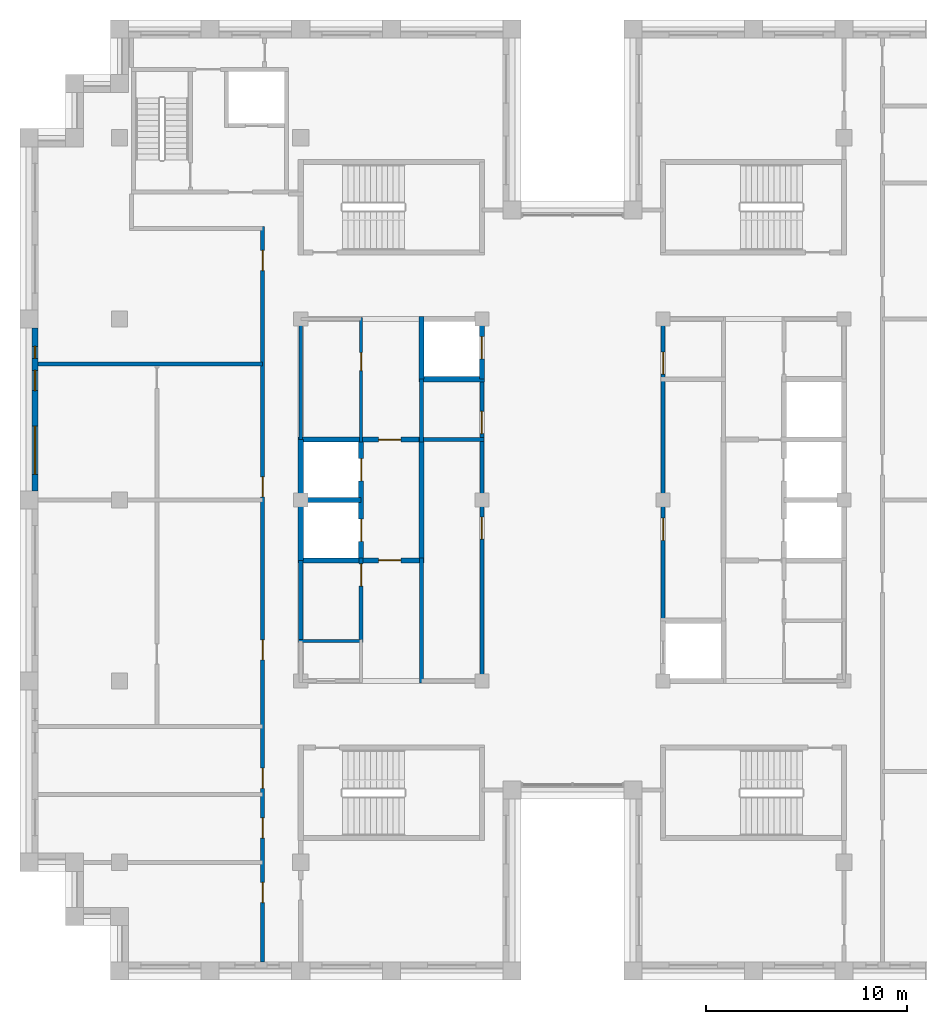
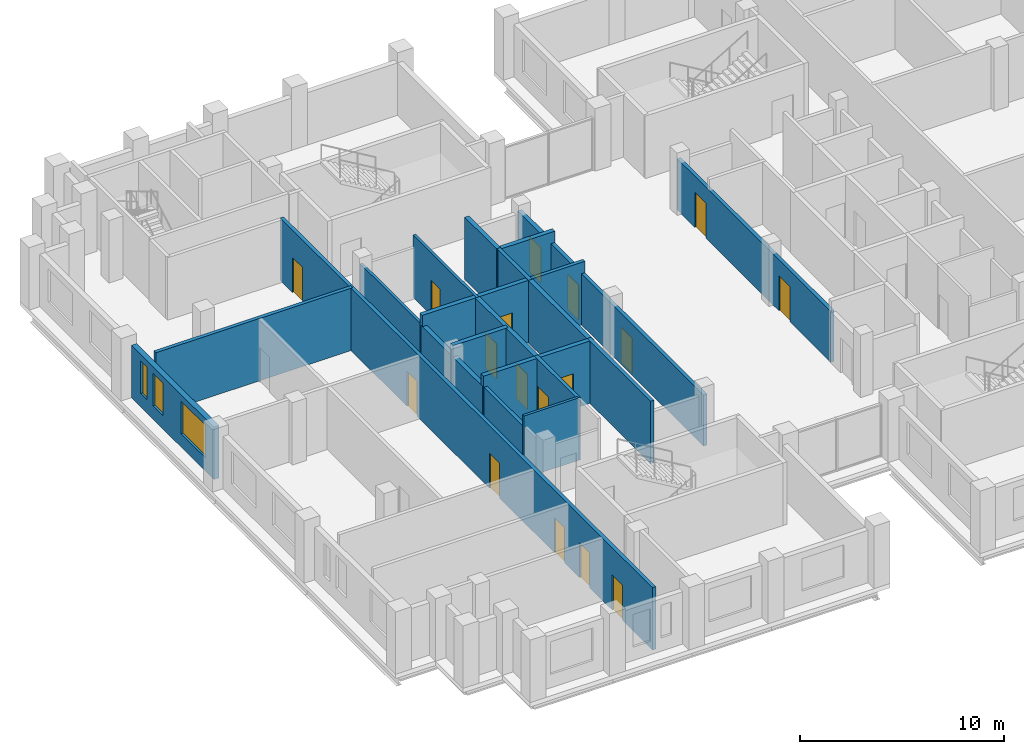
# One storey, part 7 of 13: 22 walls, 17 doors, 3 windows, 20 openings.
"""IFC4 building model written with IfcOpenShell, lengths in metres."""

from ifc_helpers import new_model, si_unit, direction, frame, frame_2d, origin, place, context, subcontext, project, spatial, rectangle, extrude, material, layer, layer_set, type_object, element, fill, save


model = new_model("IFC4")

# Units and contexts
model_context = context("Model", 3, precision=1e-05, world=origin(), true_north=direction((0.0, 1.0)))
body_context = subcontext(model_context, "Body", "Model", "MODEL_VIEW")
ifc_project = project(units=[si_unit("LENGTHUNIT", "METRE"), si_unit("AREAUNIT", "SQUARE_METRE"), si_unit("VOLUMEUNIT", "CUBIC_METRE"), si_unit("PLANEANGLEUNIT", "RADIAN"), si_unit("MASSUNIT", "GRAM", prefix="KILO")], contexts=[model_context])

# Site, building, storey
site_placement = place(None, origin())
site = spatial("IfcSite", under=ifc_project, at=site_placement, CompositionType="ELEMENT")
building_placement = place(site_placement, origin())
building = spatial("IfcBuilding", under=site, at=building_placement, Name="Corbelhall Arena Tower", CompositionType="ELEMENT")
storey_placement = place(building_placement, frame((0.0, 0.0, 308.0)))
storey = spatial("IfcBuildingStorey", under=building, at=storey_placement, Name="L67", CompositionType="ELEMENT", Elevation=308.0)

# Wall, openings, windows
ifc_material_1 = material(Name="Precast concrete C40/50 with granite facing", Category="masonry")
ifc_layer_1 = layer(ifc_material_1, 0.300048828125)
ifc_layer_set_1 = layer_set([ifc_layer_1], Name="EV-IW1 Infill panel 300")
wall_type_1 = type_object("IfcWallType", Name="EV-IW1 Infill panel 300", PredefinedType="SOLIDWALL", material=ifc_layer_set_1)
wall_1_placement = place(storey_placement, frame((-26.699951171875, 8.550048828125, 0.0), z_axis=(0.0, 0.0, 1.0), x_axis=(0.0, -1.0, 0.0)))
wall_1 = element("IfcWall", 1, at=wall_1_placement, inside=storey, type_object=wall_type_1, Name="Infill panel IW1", PredefinedType="SOLIDWALL", context=body_context, shape_type="SweptSolid", body=[
    extrude(rectangle(XDim=8.10009765625, YDim=0.300048828125, at=frame_2d((4.050048828125, 0.0))), origin(), (0.0, 0.0, 1.0), 3.139892578125),
])
opening_1_placement = place(wall_1_placement, frame((4.875, 0.0, 0.800048828125)))
opening_1 = element("IfcOpeningElement", 2, at=opening_1_placement, cuts=wall_1, Name="Opening WN1", PredefinedType="OPENING", context=body_context, shape_type="SweptSolid", body=[
    extrude(rectangle(XDim=2.39990234375, YDim=1.949951171875, at=frame_2d((1.199951171875, 0.97509765625))), frame((0.0, 0.14990234375, 0.0), z_axis=(0.0, -1.0, 0.0), x_axis=(1.0, 0.0, 0.0)), (0.0, 0.0, 1.0), 0.300048828125),
])
opening_2_placement = place(wall_1_placement, frame((0.91259765625, 0.0, 0.800048828125)))
opening_2 = element("IfcOpeningElement", 3, at=opening_2_placement, cuts=wall_1, Name="Opening WN5", PredefinedType="OPENING", context=body_context, shape_type="SweptSolid", body=[
    extrude(rectangle(XDim=0.60009765625, YDim=1.949951171875, at=frame_2d((0.300048828125, 0.97509765625))), frame((0.0, 0.14990234375, 0.0), z_axis=(0.0, -1.0, 0.0), x_axis=(1.0, 0.0, 0.0)), (0.0, 0.0, 1.0), 0.300048828125),
])
opening_3_placement = place(wall_1_placement, frame((2.112548828125, 0.0, 0.800048828125)))
opening_3 = element("IfcOpeningElement", 4, at=opening_3_placement, cuts=wall_1, Name="Opening WN6", PredefinedType="OPENING", context=body_context, shape_type="SweptSolid", body=[
    extrude(rectangle(XDim=1.0, YDim=1.949951171875, at=frame_2d((0.5, 0.97509765625))), frame((0.0, 0.14990234375, 0.0), z_axis=(0.0, -1.0, 0.0), x_axis=(1.0, 0.0, 0.0)), (0.0, 0.0, 1.0), 0.300048828125),
])
ifc_material_2 = material(Name="Aluminium black anodised", Category="aluminium")
window_type_1 = type_object("IfcWindowType", Name="EV-WN1 Office window", PartitioningType="SINGLE_PANEL", PredefinedType="WINDOW", material=ifc_material_2)
window_1_placement = place(opening_1_placement, origin())
window_1 = element("IfcWindow", 5, at=window_1_placement, inside=storey, type_object=window_type_1, Name="Window WN1", OverallHeight=1.949951171875, OverallWidth=2.39990234375, PartitioningType="SINGLE_PANEL", PredefinedType="WINDOW", context=body_context, shape_type="SweptSolid", body=[
    extrude(rectangle(XDim=2.39990234375, YDim=1.949951171875, at=frame_2d((1.199951171875, 0.97509765625))), frame((0.0, 0.030029296875, 0.0), z_axis=(0.0, -1.0, 0.0), x_axis=(1.0, 0.0, 0.0)), (0.0, 0.0, 1.0), 0.06005859375),
])
fill(opening_1, window_1)
window_type_2 = type_object("IfcWindowType", Name="EV-WN5 Office window 600", PartitioningType="SINGLE_PANEL", PredefinedType="WINDOW", material=ifc_material_2)
window_2_placement = place(opening_2_placement, origin())
window_2 = element("IfcWindow", 6, at=window_2_placement, inside=storey, type_object=window_type_2, Name="Window WN5", OverallHeight=1.949951171875, OverallWidth=0.60009765625, PartitioningType="SINGLE_PANEL", PredefinedType="WINDOW", context=body_context, shape_type="SweptSolid", body=[
    extrude(rectangle(XDim=0.60009765625, YDim=1.949951171875, at=frame_2d((0.300048828125, 0.97509765625))), frame((0.0, 0.030029296875, 0.0), z_axis=(0.0, -1.0, 0.0), x_axis=(1.0, 0.0, 0.0)), (0.0, 0.0, 1.0), 0.06005859375),
])
fill(opening_2, window_2)
window_type_3 = type_object("IfcWindowType", Name="EV-WN6 Office window 1000", PartitioningType="SINGLE_PANEL", PredefinedType="WINDOW", material=ifc_material_2)
window_3_placement = place(opening_3_placement, origin())
window_3 = element("IfcWindow", 7, at=window_3_placement, inside=storey, type_object=window_type_3, Name="Window WN6", OverallHeight=1.949951171875, OverallWidth=1.0, PartitioningType="SINGLE_PANEL", PredefinedType="WINDOW", context=body_context, shape_type="SweptSolid", body=[
    extrude(rectangle(XDim=1.0, YDim=1.949951171875, at=frame_2d((0.5, 0.97509765625))), frame((0.0, 0.030029296875, 0.0), z_axis=(0.0, -1.0, 0.0), x_axis=(1.0, 0.0, 0.0)), (0.0, 0.0, 1.0), 0.06005859375),
])
fill(opening_3, window_3)

# Wall
ifc_material_3 = material(Name="Gypsum board on steel stud, acoustic", Category="steel")
ifc_layer_2 = layer(ifc_material_3, 0.199951171875)
ifc_layer_set_2 = layer_set([ifc_layer_2], Name="IN-W-DM200")
wall_type_2 = type_object("IfcWallType", Name="IN-W-DM200", PredefinedType="PARTITIONING", material=ifc_layer_set_2)
wall_2_placement = place(storey_placement, frame((-26.550048828125, 6.75, 0.0), z_axis=(0.0, 0.0, 1.0), x_axis=(1.0, 0.0, 0.0)))
element("IfcWall", 8, at=wall_2_placement, inside=storey, type_object=wall_type_2, Name="Partition 003", PredefinedType="PARTITIONING", context=body_context, shape_type="SweptSolid", body=[
    extrude(rectangle(XDim=11.150146484375, YDim=0.199951171875, at=frame_2d((5.5751953125, 0.0))), origin(), (0.0, 0.0, 1.0), 3.739990234375),
])

# Wall, openings, doors
wall_3_placement = place(storey_placement, frame((-15.39990234375, -22.949951171875, 0.0), z_axis=(0.0, 0.0, 1.0), x_axis=(0.0, 1.0, 0.0)))
wall_3 = element("IfcWall", 9, at=wall_3_placement, inside=storey, type_object=wall_type_2, Name="Partition 009", PredefinedType="PARTITIONING", context=body_context, shape_type="SweptSolid", body=[
    extrude(rectangle(XDim=36.550048828125, YDim=0.199951171875, at=frame_2d((18.27490234375, 0.0))), origin(), (0.0, 0.0, 1.0), 3.739990234375),
])
opening_4_placement = place(wall_3_placement, frame((23.10009765625, 0.0, 0.0)))
opening_4 = element("IfcOpeningElement", 10, at=opening_4_placement, cuts=wall_3, Name="Opening 21021", PredefinedType="OPENING", context=body_context, shape_type="SweptSolid", body=[
    extrude(rectangle(XDim=1.0, YDim=2.10009765625, at=frame_2d((0.5, 1.050048828125))), frame((0.0, 0.10009765625, 0.0), z_axis=(0.0, -1.0, 0.0), x_axis=(1.0, 0.0, 0.0)), (0.0, 0.0, 1.0), 0.199951171875),
])
opening_5_placement = place(wall_3_placement, frame((34.35009765625, 0.0, 0.0)))
opening_5 = element("IfcOpeningElement", 11, at=opening_5_placement, cuts=wall_3, Name="Opening 21023", PredefinedType="OPENING", context=body_context, shape_type="SweptSolid", body=[
    extrude(rectangle(XDim=1.0, YDim=2.10009765625, at=frame_2d((0.5, 1.050048828125))), frame((0.0, 0.10009765625, 0.0), z_axis=(0.0, -1.0, 0.0), x_axis=(1.0, 0.0, 0.0)), (0.0, 0.0, 1.0), 0.199951171875),
])
opening_6_placement = place(wall_3_placement, frame((2.949951171875, 0.0, 0.0)))
opening_6 = element("IfcOpeningElement", 12, at=opening_6_placement, cuts=wall_3, Name="Opening 21024", PredefinedType="OPENING", context=body_context, shape_type="SweptSolid", body=[
    extrude(rectangle(XDim=1.0, YDim=2.10009765625, at=frame_2d((0.5, 1.050048828125))), frame((0.0, 0.10009765625, 0.0), z_axis=(0.0, -1.0, 0.0), x_axis=(1.0, 0.0, 0.0)), (0.0, 0.0, 1.0), 0.199951171875),
])
opening_7_placement = place(wall_3_placement, frame((6.14990234375, 0.0, 0.0)))
opening_7 = element("IfcOpeningElement", 13, at=opening_7_placement, cuts=wall_3, Name="Opening 21025", PredefinedType="OPENING", context=body_context, shape_type="SweptSolid", body=[
    extrude(rectangle(XDim=1.0, YDim=2.10009765625, at=frame_2d((0.5, 1.050048828125))), frame((0.0, 0.10009765625, 0.0), z_axis=(0.0, -1.0, 0.0), x_axis=(1.0, 0.0, 0.0)), (0.0, 0.0, 1.0), 0.199951171875),
])
opening_8_placement = place(wall_3_placement, frame((8.625, 0.0, 0.0)))
opening_8 = element("IfcOpeningElement", 14, at=opening_8_placement, cuts=wall_3, Name="Opening 21026", PredefinedType="OPENING", context=body_context, shape_type="SweptSolid", body=[
    extrude(rectangle(XDim=1.0, YDim=2.10009765625, at=frame_2d((0.5, 1.050048828125))), frame((0.0, 0.10009765625, 0.0), z_axis=(0.0, -1.0, 0.0), x_axis=(1.0, 0.0, 0.0)), (0.0, 0.0, 1.0), 0.199951171875),
])
opening_9_placement = place(wall_3_placement, frame((15.0, 0.0, 0.0)))
opening_9 = element("IfcOpeningElement", 15, at=opening_9_placement, cuts=wall_3, Name="Opening 21027", PredefinedType="OPENING", context=body_context, shape_type="SweptSolid", body=[
    extrude(rectangle(XDim=1.0, YDim=2.10009765625, at=frame_2d((0.5, 1.050048828125))), frame((0.0, 0.10009765625, 0.0), z_axis=(0.0, -1.0, 0.0), x_axis=(1.0, 0.0, 0.0)), (0.0, 0.0, 1.0), 0.199951171875),
])
ifc_material_4 = material(Name="Steel door set", Category="steel")
door_type_1 = type_object("IfcDoorType", Name="IN-D-SW100", OperationType="NOTDEFINED", PredefinedType="DOOR", material=ifc_material_4)
door_1_placement = place(opening_4_placement, origin())
door_1 = element("IfcDoor", 16, at=door_1_placement, inside=storey, type_object=door_type_1, Name="Door 021", OperationType="SINGLE_SWING_RIGHT", OverallHeight=2.10009765625, OverallWidth=1.0, PredefinedType="DOOR", context=body_context, shape_type="SweptSolid", body=[
    extrude(rectangle(XDim=1.0, YDim=2.10009765625, at=frame_2d((0.5, 1.050048828125))), frame((0.0, 0.02490234375, 0.0), z_axis=(0.0, -1.0, 0.0), x_axis=(1.0, 0.0, 0.0)), (0.0, 0.0, 1.0), 0.050048828125),
])
fill(opening_4, door_1)
door_2_placement = place(opening_5_placement, origin())
door_2 = element("IfcDoor", 17, at=door_2_placement, inside=storey, type_object=door_type_1, Name="Door 023", OperationType="SINGLE_SWING_RIGHT", OverallHeight=2.10009765625, OverallWidth=1.0, PredefinedType="DOOR", context=body_context, shape_type="SweptSolid", body=[
    extrude(rectangle(XDim=1.0, YDim=2.10009765625, at=frame_2d((0.5, 1.050048828125))), frame((0.0, 0.02490234375, 0.0), z_axis=(0.0, -1.0, 0.0), x_axis=(1.0, 0.0, 0.0)), (0.0, 0.0, 1.0), 0.050048828125),
])
fill(opening_5, door_2)
door_3_placement = place(opening_6_placement, origin())
door_3 = element("IfcDoor", 18, at=door_3_placement, inside=storey, type_object=door_type_1, Name="Door 024", OperationType="SINGLE_SWING_LEFT", OverallHeight=2.10009765625, OverallWidth=1.0, PredefinedType="DOOR", context=body_context, shape_type="SweptSolid", body=[
    extrude(rectangle(XDim=1.0, YDim=2.10009765625, at=frame_2d((0.5, 1.050048828125))), frame((0.0, 0.02490234375, 0.0), z_axis=(0.0, -1.0, 0.0), x_axis=(1.0, 0.0, 0.0)), (0.0, 0.0, 1.0), 0.050048828125),
])
fill(opening_6, door_3)
door_4_placement = place(opening_7_placement, origin())
door_4 = element("IfcDoor", 19, at=door_4_placement, inside=storey, type_object=door_type_1, Name="Door 025", OperationType="SINGLE_SWING_RIGHT", OverallHeight=2.10009765625, OverallWidth=1.0, PredefinedType="DOOR", context=body_context, shape_type="SweptSolid", body=[
    extrude(rectangle(XDim=1.0, YDim=2.10009765625, at=frame_2d((0.5, 1.050048828125))), frame((0.0, 0.02490234375, 0.0), z_axis=(0.0, -1.0, 0.0), x_axis=(1.0, 0.0, 0.0)), (0.0, 0.0, 1.0), 0.050048828125),
])
fill(opening_7, door_4)
door_5_placement = place(opening_8_placement, origin())
door_5 = element("IfcDoor", 20, at=door_5_placement, inside=storey, type_object=door_type_1, Name="Door 026", OperationType="SINGLE_SWING_LEFT", OverallHeight=2.10009765625, OverallWidth=1.0, PredefinedType="DOOR", context=body_context, shape_type="SweptSolid", body=[
    extrude(rectangle(XDim=1.0, YDim=2.10009765625, at=frame_2d((0.5, 1.050048828125))), frame((0.0, 0.02490234375, 0.0), z_axis=(0.0, -1.0, 0.0), x_axis=(1.0, 0.0, 0.0)), (0.0, 0.0, 1.0), 0.050048828125),
])
fill(opening_8, door_5)
door_6_placement = place(opening_9_placement, origin())
door_6 = element("IfcDoor", 21, at=door_6_placement, inside=storey, type_object=door_type_1, Name="Door 027", OperationType="SINGLE_SWING_RIGHT", OverallHeight=2.10009765625, OverallWidth=1.0, PredefinedType="DOOR", context=body_context, shape_type="SweptSolid", body=[
    extrude(rectangle(XDim=1.0, YDim=2.10009765625, at=frame_2d((0.5, 1.050048828125))), frame((0.0, 0.02490234375, 0.0), z_axis=(0.0, -1.0, 0.0), x_axis=(1.0, 0.0, 0.0)), (0.0, 0.0, 1.0), 0.050048828125),
])
fill(opening_9, door_6)

# Wall, opening, door
ifc_material_5 = material(Name="Concrete block wall", Category="concrete")
ifc_layer_3 = layer(ifc_material_5, 0.199951171875)
ifc_layer_set_3 = layer_set([ifc_layer_3], Name="IN-W-RS200")
wall_type_3 = type_object("IfcWallType", Name="IN-W-RS200", PredefinedType="SOLIDWALL", material=ifc_layer_set_3)
wall_4_placement = place(storey_placement, frame((-10.5, -7.074951171875, 0.0), z_axis=(0.0, 0.0, 1.0), x_axis=(0.0, 1.0, 0.0)))
wall_4 = element("IfcWall", 22, at=wall_4_placement, inside=storey, type_object=wall_type_3, Name="Partition 028", PredefinedType="SOLIDWALL", context=body_context, shape_type="SweptSolid", body=[
    extrude(rectangle(XDim=4.199951171875, YDim=0.199951171875, at=frame_2d((2.10009765625, 0.0))), origin(), (0.0, 0.0, 1.0), 3.739990234375),
])
opening_10_placement = place(wall_4_placement, frame((2.800048828125, 0.0, 0.0)))
opening_10 = element("IfcOpeningElement", 23, at=opening_10_placement, cuts=wall_4, Name="Opening 21006", PredefinedType="OPENING", context=body_context, shape_type="SweptSolid", body=[
    extrude(rectangle(XDim=1.10009765625, YDim=2.10009765625, at=frame_2d((0.550048828125, 1.050048828125))), frame((0.0, 0.10009765625, 0.0), z_axis=(0.0, -1.0, 0.0), x_axis=(1.0, 0.0, 0.0)), (0.0, 0.0, 1.0), 0.199951171875),
])
door_type_2 = type_object("IfcDoorType", Name="IN-D-FD110", OperationType="NOTDEFINED", PredefinedType="DOOR", material=ifc_material_4)
door_7_placement = place(opening_10_placement, origin())
door_7 = element("IfcDoor", 24, at=door_7_placement, inside=storey, type_object=door_type_2, Name="Door 006", OperationType="SINGLE_SWING_LEFT", OverallHeight=2.10009765625, OverallWidth=1.10009765625, PredefinedType="DOOR", context=body_context, shape_type="SweptSolid", body=[
    extrude(rectangle(XDim=1.10009765625, YDim=2.10009765625, at=frame_2d((0.550048828125, 1.050048828125))), frame((0.0, 0.02490234375, 0.0), z_axis=(0.0, -1.0, 0.0), x_axis=(1.0, 0.0, 0.0)), (0.0, 0.0, 1.0), 0.050048828125),
])
fill(opening_10, door_7)

# Walls
wall_5_placement = place(storey_placement, frame((-7.625, 3.0, 0.0), z_axis=(0.0, 0.0, 1.0), x_axis=(1.0, 0.0, 0.0)))
element("IfcWall", 25, at=wall_5_placement, inside=storey, type_object=wall_type_3, Name="Partition 029", PredefinedType="SOLIDWALL", context=body_context, shape_type="SweptSolid", body=[
    extrude(rectangle(XDim=3.22509765625, YDim=0.199951171875, at=frame_2d((1.612548828125, 0.0))), origin(), (0.0, 0.0, 1.0), 3.739990234375),
])
wall_6_placement = place(storey_placement, frame((-7.5, -9.10009765625, 0.0), z_axis=(0.0, 0.0, 1.0), x_axis=(0.0, 1.0, 0.0)))
element("IfcWall", 26, at=wall_6_placement, inside=storey, type_object=wall_type_3, Name="Partition 030", PredefinedType="SOLIDWALL", context=body_context, shape_type="SweptSolid", body=[
    extrude(rectangle(XDim=6.22509765625, YDim=0.199951171875, at=frame_2d((3.112548828125, 0.0))), origin(), (0.0, 0.0, 1.0), 3.739990234375),
])
wall_7_placement = place(storey_placement, frame((-7.5, 2.875, 0.0), z_axis=(0.0, 0.0, 1.0), x_axis=(0.0, 1.0, 0.0)))
element("IfcWall", 27, at=wall_7_placement, inside=storey, type_object=wall_type_3, Name="Partition 031", PredefinedType="SOLIDWALL", context=body_context, shape_type="SweptSolid", body=[
    extrude(rectangle(XDim=3.125, YDim=0.199951171875, at=frame_2d((1.5625, 0.0))), origin(), (0.0, 0.0, 1.0), 3.739990234375),
])
ifc_layer_4 = layer(ifc_material_5, 0.199951171875)
ifc_layer_set_4 = layer_set([ifc_layer_4], Name="IN-W-RS200 under beam 678 mm")
wall_type_4 = type_object("IfcWallType", Name="IN-W-RS200 under beam 678 mm", PredefinedType="SOLIDWALL", material=ifc_layer_set_4)
wall_8_placement = place(storey_placement, frame((-13.5, -7.0, 0.0), z_axis=(0.0, 0.0, 1.0), x_axis=(0.0, 1.0, 0.0)))
element("IfcWall", 28, at=wall_8_placement, inside=storey, type_object=wall_type_4, Name="Partition 027", PredefinedType="SOLIDWALL", context=body_context, shape_type="SweptSolid", body=[
    extrude(rectangle(XDim=4.0, YDim=0.199951171875, at=frame_2d((2.0, 0.0))), origin(), (0.0, 0.0, 1.0), 3.061767578125),
])

# Wall, openings, doors
wall_9_placement = place(storey_placement, frame((-4.5, 6.0, 0.0), z_axis=(0.0, 0.0, 1.0), x_axis=(0.0, -1.0, 0.0)))
wall_9 = element("IfcWall", 29, at=wall_9_placement, inside=storey, type_object=wall_type_4, Name="Partition 033", PredefinedType="SOLIDWALL", context=body_context, shape_type="SweptSolid", body=[
    extrude(rectangle(XDim=15.10009765625, YDim=0.199951171875, at=frame_2d((7.550048828125, 0.0))), origin(), (0.0, 0.0, 1.0), 3.061767578125),
])
opening_11_placement = place(wall_9_placement, frame((6.85009765625, 0.0, 0.0)))
opening_11 = element("IfcOpeningElement", 30, at=opening_11_placement, cuts=wall_9, Name="Opening 21001", PredefinedType="OPENING", context=body_context, shape_type="SweptSolid", body=[
    extrude(rectangle(XDim=1.10009765625, YDim=2.10009765625, at=frame_2d((0.550048828125, 1.050048828125))), frame((0.0, 0.10009765625, 0.0), z_axis=(0.0, -1.0, 0.0), x_axis=(1.0, 0.0, 0.0)), (0.0, 0.0, 1.0), 0.199951171875),
])
opening_12_placement = place(wall_9_placement, frame((1.60009765625, 0.0, 0.0)))
opening_12 = element("IfcOpeningElement", 31, at=opening_12_placement, cuts=wall_9, Name="Opening 21002", PredefinedType="OPENING", context=body_context, shape_type="SweptSolid", body=[
    extrude(rectangle(XDim=1.10009765625, YDim=2.10009765625, at=frame_2d((0.550048828125, 1.050048828125))), frame((0.0, 0.10009765625, 0.0), z_axis=(0.0, -1.0, 0.0), x_axis=(1.0, 0.0, 0.0)), (0.0, 0.0, 1.0), 0.199951171875),
])
door_8_placement = place(opening_11_placement, origin())
door_8 = element("IfcDoor", 32, at=door_8_placement, inside=storey, type_object=door_type_2, Name="Door 001", OperationType="SINGLE_SWING_RIGHT", OverallHeight=2.10009765625, OverallWidth=1.10009765625, PredefinedType="DOOR", context=body_context, shape_type="SweptSolid", body=[
    extrude(rectangle(XDim=1.10009765625, YDim=2.10009765625, at=frame_2d((0.550048828125, 1.050048828125))), frame((0.0, 0.02490234375, 0.0), z_axis=(0.0, -1.0, 0.0), x_axis=(1.0, 0.0, 0.0)), (0.0, 0.0, 1.0), 0.050048828125),
])
fill(opening_11, door_8)
door_9_placement = place(opening_12_placement, origin())
door_9 = element("IfcDoor", 33, at=door_9_placement, inside=storey, type_object=door_type_2, Name="Door 002", OperationType="SINGLE_SWING_LEFT", OverallHeight=2.10009765625, OverallWidth=1.10009765625, PredefinedType="DOOR", context=body_context, shape_type="SweptSolid", body=[
    extrude(rectangle(XDim=1.10009765625, YDim=2.10009765625, at=frame_2d((0.550048828125, 1.050048828125))), frame((0.0, 0.02490234375, 0.0), z_axis=(0.0, -1.0, 0.0), x_axis=(1.0, 0.0, 0.0)), (0.0, 0.0, 1.0), 0.050048828125),
])
fill(opening_12, door_9)

wall_10_placement = place(storey_placement, frame((4.5, -6.0, 0.0), z_axis=(0.0, 0.0, 1.0), x_axis=(0.0, 1.0, 0.0)))
wall_10 = element("IfcWall", 34, at=wall_10_placement, inside=storey, type_object=wall_type_4, Name="Partition 035", PredefinedType="SOLIDWALL", context=body_context, shape_type="SweptSolid", body=[
    extrude(rectangle(XDim=15.10009765625, YDim=0.199951171875, at=frame_2d((7.550048828125, 0.0))), origin(), (0.0, 0.0, 1.0), 3.061767578125),
])
opening_13_placement = place(wall_10_placement, frame((4.0, 0.0, 0.0)))
opening_13 = element("IfcOpeningElement", 35, at=opening_13_placement, cuts=wall_10, Name="Opening 21008", PredefinedType="OPENING", context=body_context, shape_type="SweptSolid", body=[
    extrude(rectangle(XDim=1.10009765625, YDim=2.10009765625, at=frame_2d((0.550048828125, 1.050048828125))), frame((0.0, 0.10009765625, 0.0), z_axis=(0.0, -1.0, 0.0), x_axis=(1.0, 0.0, 0.0)), (0.0, 0.0, 1.0), 0.199951171875),
])
opening_14_placement = place(wall_10_placement, frame((12.25, 0.0, 0.0)))
opening_14 = element("IfcOpeningElement", 36, at=opening_14_placement, cuts=wall_10, Name="Opening 21009", PredefinedType="OPENING", context=body_context, shape_type="SweptSolid", body=[
    extrude(rectangle(XDim=1.10009765625, YDim=2.10009765625, at=frame_2d((0.550048828125, 1.050048828125))), frame((0.0, 0.10009765625, 0.0), z_axis=(0.0, -1.0, 0.0), x_axis=(1.0, 0.0, 0.0)), (0.0, 0.0, 1.0), 0.199951171875),
])
door_10_placement = place(opening_13_placement, origin())
door_10 = element("IfcDoor", 37, at=door_10_placement, inside=storey, type_object=door_type_2, Name="Door 008", OperationType="SINGLE_SWING_LEFT", OverallHeight=2.10009765625, OverallWidth=1.10009765625, PredefinedType="DOOR", context=body_context, shape_type="SweptSolid", body=[
    extrude(rectangle(XDim=1.10009765625, YDim=2.10009765625, at=frame_2d((0.550048828125, 1.050048828125))), frame((0.0, 0.02490234375, 0.0), z_axis=(0.0, -1.0, 0.0), x_axis=(1.0, 0.0, 0.0)), (0.0, 0.0, 1.0), 0.050048828125),
])
fill(opening_13, door_10)
door_11_placement = place(opening_14_placement, origin())
door_11 = element("IfcDoor", 38, at=door_11_placement, inside=storey, type_object=door_type_2, Name="Door 009", OperationType="SINGLE_SWING_RIGHT", OverallHeight=2.10009765625, OverallWidth=1.10009765625, PredefinedType="DOOR", context=body_context, shape_type="SweptSolid", body=[
    extrude(rectangle(XDim=1.10009765625, YDim=2.10009765625, at=frame_2d((0.550048828125, 1.050048828125))), frame((0.0, 0.02490234375, 0.0), z_axis=(0.0, -1.0, 0.0), x_axis=(1.0, 0.0, 0.0)), (0.0, 0.0, 1.0), 0.050048828125),
])
fill(opening_14, door_11)

# Wall
ifc_material_6 = material(Name="Concrete C40/50", Category="concrete")
ifc_layer_5 = layer(ifc_material_6, 0.25)
ifc_layer_set_5 = layer_set([ifc_layer_5], Name="IN-W-SH250")
wall_type_5 = type_object("IfcWallType", Name="IN-W-SH250", PredefinedType="SOLIDWALL", material=ifc_layer_set_5)
wall_11_placement = place(storey_placement, frame((-13.625, 0.0, 0.0), z_axis=(0.0, 0.0, 1.0), x_axis=(1.0, 0.0, 0.0)))
element("IfcWall", 39, at=wall_11_placement, inside=storey, type_object=wall_type_5, Name="Shaft wall 044", PredefinedType="SOLIDWALL", context=body_context, shape_type="SweptSolid", body=[
    extrude(rectangle(XDim=3.125, YDim=0.25, at=frame_2d((1.5625, 0.0))), origin(), (0.0, 0.0, 1.0), 3.739990234375),
])

# Wall, opening, door
wall_12_placement = place(storey_placement, frame((-13.625, 3.0, 0.0), z_axis=(0.0, 0.0, 1.0), x_axis=(1.0, 0.0, 0.0)))
wall_12 = element("IfcWall", 40, at=wall_12_placement, inside=storey, type_object=wall_type_5, Name="Shaft wall 045", PredefinedType="SOLIDWALL", context=body_context, shape_type="SweptSolid", body=[
    extrude(rectangle(XDim=6.125, YDim=0.25, at=frame_2d((3.0625, 0.0))), origin(), (0.0, 0.0, 1.0), 3.739990234375),
])
opening_15_placement = place(wall_12_placement, frame((4.0, 0.0, 0.0)))
opening_15 = element("IfcOpeningElement", 41, at=opening_15_placement, cuts=wall_12, Name="Opening 21004", PredefinedType="OPENING", context=body_context, shape_type="SweptSolid", body=[
    extrude(rectangle(XDim=1.10009765625, YDim=2.10009765625, at=frame_2d((0.550048828125, 1.050048828125))), frame((0.0, 0.125, 0.0), z_axis=(0.0, -1.0, 0.0), x_axis=(1.0, 0.0, 0.0)), (0.0, 0.0, 1.0), 0.25),
])
door_12_placement = place(opening_15_placement, origin())
door_12 = element("IfcDoor", 42, at=door_12_placement, inside=storey, type_object=door_type_2, Name="Door 004", OperationType="SINGLE_SWING_LEFT", OverallHeight=2.10009765625, OverallWidth=1.10009765625, PredefinedType="DOOR", context=body_context, shape_type="SweptSolid", body=[
    extrude(rectangle(XDim=1.10009765625, YDim=2.10009765625, at=frame_2d((0.550048828125, 1.050048828125))), frame((0.0, 0.02490234375, 0.0), z_axis=(0.0, -1.0, 0.0), x_axis=(1.0, 0.0, 0.0)), (0.0, 0.0, 1.0), 0.050048828125),
])
fill(opening_15, door_12)

wall_13_placement = place(storey_placement, frame((-13.625, -3.0, 0.0), z_axis=(0.0, 0.0, 1.0), x_axis=(1.0, 0.0, 0.0)))
wall_13 = element("IfcWall", 43, at=wall_13_placement, inside=storey, type_object=wall_type_5, Name="Shaft wall 047", PredefinedType="SOLIDWALL", context=body_context, shape_type="SweptSolid", body=[
    extrude(rectangle(XDim=6.125, YDim=0.25, at=frame_2d((3.0625, 0.0))), origin(), (0.0, 0.0, 1.0), 3.739990234375),
])
opening_16_placement = place(wall_13_placement, frame((4.0, 0.0, 0.0)))
opening_16 = element("IfcOpeningElement", 44, at=opening_16_placement, cuts=wall_13, Name="Opening 21003", PredefinedType="OPENING", context=body_context, shape_type="SweptSolid", body=[
    extrude(rectangle(XDim=1.10009765625, YDim=2.10009765625, at=frame_2d((0.550048828125, 1.050048828125))), frame((0.0, 0.125, 0.0), z_axis=(0.0, -1.0, 0.0), x_axis=(1.0, 0.0, 0.0)), (0.0, 0.0, 1.0), 0.25),
])
door_13_placement = place(opening_16_placement, origin())
door_13 = element("IfcDoor", 45, at=door_13_placement, inside=storey, type_object=door_type_2, Name="Door 003", OperationType="SINGLE_SWING_RIGHT", OverallHeight=2.10009765625, OverallWidth=1.10009765625, PredefinedType="DOOR", context=body_context, shape_type="SweptSolid", body=[
    extrude(rectangle(XDim=1.10009765625, YDim=2.10009765625, at=frame_2d((0.550048828125, 1.050048828125))), frame((0.0, 0.02490234375, 0.0), z_axis=(0.0, -1.0, 0.0), x_axis=(1.0, 0.0, 0.0)), (0.0, 0.0, 1.0), 0.050048828125),
])
fill(opening_16, door_13)

# Wall, openings, doors
wall_14_placement = place(storey_placement, frame((-10.5, -3.125, 0.0), z_axis=(0.0, 0.0, 1.0), x_axis=(0.0, 1.0, 0.0)))
wall_14 = element("IfcWall", 46, at=wall_14_placement, inside=storey, type_object=wall_type_5, Name="Shaft wall 048", PredefinedType="SOLIDWALL", context=body_context, shape_type="SweptSolid", body=[
    extrude(rectangle(XDim=6.25, YDim=0.25, at=frame_2d((3.125, 0.0))), origin(), (0.0, 0.0, 1.0), 3.739990234375),
])
opening_17_placement = place(wall_14_placement, frame((1.074951171875, 0.0, 0.0)))
opening_17 = element("IfcOpeningElement", 47, at=opening_17_placement, cuts=wall_14, Name="Opening LD", PredefinedType="OPENING", context=body_context, shape_type="SweptSolid", body=[
    extrude(rectangle(XDim=1.10009765625, YDim=2.10009765625, at=frame_2d((0.550048828125, 1.050048828125))), frame((0.0, 0.125, 0.0), z_axis=(0.0, -1.0, 0.0), x_axis=(1.0, 0.0, 0.0)), (0.0, 0.0, 1.0), 0.25),
])
opening_18_placement = place(wall_14_placement, frame((4.074951171875, 0.0, 0.0)))
opening_18 = element("IfcOpeningElement", 48, at=opening_18_placement, cuts=wall_14, Name="Opening LD", PredefinedType="OPENING", context=body_context, shape_type="SweptSolid", body=[
    extrude(rectangle(XDim=1.10009765625, YDim=2.10009765625, at=frame_2d((0.550048828125, 1.050048828125))), frame((0.0, 0.125, 0.0), z_axis=(0.0, -1.0, 0.0), x_axis=(1.0, 0.0, 0.0)), (0.0, 0.0, 1.0), 0.25),
])
door_type_3 = type_object("IfcDoorType", Name="IN-D-LD110", OperationType="NOTDEFINED", PredefinedType="DOOR", material=ifc_material_4)
door_14_placement = place(opening_17_placement, origin())
door_14 = element("IfcDoor", 49, at=door_14_placement, inside=storey, type_object=door_type_3, Name="Landing door W3", OperationType="SLIDING_TO_LEFT", OverallHeight=2.10009765625, OverallWidth=1.10009765625, PredefinedType="DOOR", context=body_context, shape_type="SweptSolid", body=[
    extrude(rectangle(XDim=1.10009765625, YDim=2.10009765625, at=frame_2d((0.550048828125, 1.050048828125))), frame((0.0, 0.02490234375, 0.0), z_axis=(0.0, -1.0, 0.0), x_axis=(1.0, 0.0, 0.0)), (0.0, 0.0, 1.0), 0.050048828125),
])
fill(opening_17, door_14)
door_15_placement = place(opening_18_placement, origin())
door_15 = element("IfcDoor", 50, at=door_15_placement, inside=storey, type_object=door_type_3, Name="Landing door W4", OperationType="SLIDING_TO_LEFT", OverallHeight=2.10009765625, OverallWidth=1.10009765625, PredefinedType="DOOR", context=body_context, shape_type="SweptSolid", body=[
    extrude(rectangle(XDim=1.10009765625, YDim=2.10009765625, at=frame_2d((0.550048828125, 1.050048828125))), frame((0.0, 0.02490234375, 0.0), z_axis=(0.0, -1.0, 0.0), x_axis=(1.0, 0.0, 0.0)), (0.0, 0.0, 1.0), 0.050048828125),
])
fill(opening_18, door_15)

# Walls
wall_15_placement = place(storey_placement, frame((-7.625, 6.0, 0.0), z_axis=(0.0, 0.0, 1.0), x_axis=(1.0, 0.0, 0.0)))
element("IfcWall", 51, at=wall_15_placement, inside=storey, type_object=wall_type_5, Name="Shaft wall 049", PredefinedType="SOLIDWALL", context=body_context, shape_type="SweptSolid", body=[
    extrude(rectangle(XDim=3.25, YDim=0.25, at=frame_2d((1.625, 0.0))), origin(), (0.0, 0.0, 1.0), 3.739990234375),
])
wall_16_placement = place(storey_placement, frame((-7.5, -3.125, 0.0), z_axis=(0.0, 0.0, 1.0), x_axis=(0.0, 1.0, 0.0)))
element("IfcWall", 52, at=wall_16_placement, inside=storey, type_object=wall_type_5, Name="Shaft wall 050", PredefinedType="SOLIDWALL", context=body_context, shape_type="SweptSolid", body=[
    extrude(rectangle(XDim=6.25, YDim=0.25, at=frame_2d((3.125, 0.0))), origin(), (0.0, 0.0, 1.0), 3.739990234375),
])
wall_17_placement = place(storey_placement, frame((-7.5, 6.0, 0.0), z_axis=(0.0, 0.0, 1.0), x_axis=(0.0, 1.0, 0.0)))
element("IfcWall", 53, at=wall_17_placement, inside=storey, type_object=wall_type_5, Name="Shaft wall 051", PredefinedType="SOLIDWALL", context=body_context, shape_type="SweptSolid", body=[
    extrude(rectangle(XDim=3.125, YDim=0.25, at=frame_2d((1.5625, 0.0))), origin(), (0.0, 0.0, 1.0), 3.739990234375),
])
ifc_layer_6 = layer(ifc_material_6, 0.25)
ifc_layer_set_6 = layer_set([ifc_layer_6], Name="IN-W-SH250 under beam 678 mm")
wall_type_6 = type_object("IfcWallType", Name="IN-W-SH250 under beam 678 mm", PredefinedType="SOLIDWALL", material=ifc_layer_set_6)
wall_18_placement = place(storey_placement, frame((-13.5, -3.0, 0.0), z_axis=(0.0, 0.0, 1.0), x_axis=(0.0, 1.0, 0.0)))
element("IfcWall", 54, at=wall_18_placement, inside=storey, type_object=wall_type_6, Name="Shaft wall 046", PredefinedType="SOLIDWALL", context=body_context, shape_type="SweptSolid", body=[
    extrude(rectangle(XDim=6.0, YDim=0.25, at=frame_2d((3.0, 0.0))), origin(), (0.0, 0.0, 1.0), 3.061767578125),
])

# Wall, opening, door
wall_19_placement = place(storey_placement, frame((-4.5, 9.125, 0.0), z_axis=(0.0, 0.0, 1.0), x_axis=(0.0, -1.0, 0.0)))
wall_19 = element("IfcWall", 55, at=wall_19_placement, inside=storey, type_object=wall_type_6, Name="Shaft wall 053", PredefinedType="SOLIDWALL", context=body_context, shape_type="SweptSolid", body=[
    extrude(rectangle(XDim=3.125, YDim=0.25, at=frame_2d((1.5625, 0.0))), origin(), (0.0, 0.0, 1.0), 3.061767578125),
])
opening_19_placement = place(wall_19_placement, frame((1.012451171875, 0.0, 0.0)))
opening_19 = element("IfcOpeningElement", 56, at=opening_19_placement, cuts=wall_19, Name="Opening LD", PredefinedType="OPENING", context=body_context, shape_type="SweptSolid", body=[
    extrude(rectangle(XDim=1.10009765625, YDim=2.10009765625, at=frame_2d((0.550048828125, 1.050048828125))), frame((0.0, 0.125, 0.0), z_axis=(0.0, -1.0, 0.0), x_axis=(1.0, 0.0, 0.0)), (0.0, 0.0, 1.0), 0.25),
])
door_16_placement = place(opening_19_placement, origin())
door_16 = element("IfcDoor", 57, at=door_16_placement, inside=storey, type_object=door_type_3, Name="Landing door W6", OperationType="SLIDING_TO_LEFT", OverallHeight=2.10009765625, OverallWidth=1.10009765625, PredefinedType="DOOR", context=body_context, shape_type="SweptSolid", body=[
    extrude(rectangle(XDim=1.10009765625, YDim=2.10009765625, at=frame_2d((0.550048828125, 1.050048828125))), frame((0.0, 0.02490234375, 0.0), z_axis=(0.0, -1.0, 0.0), x_axis=(1.0, 0.0, 0.0)), (0.0, 0.0, 1.0), 0.050048828125),
])
fill(opening_19, door_16)

# Wall
ifc_material_7 = material(Name="Gypsum board on steel stud, moisture resistant", Category="steel")
ifc_layer_7 = layer(ifc_material_7, 0.14990234375)
ifc_layer_set_7 = layer_set([ifc_layer_7], Name="IN-W-WC150")
wall_type_7 = type_object("IfcWallType", Name="IN-W-WC150", PredefinedType="PARTITIONING", material=ifc_layer_set_7)
wall_20_placement = place(storey_placement, frame((-13.60009765625, -7.0, 0.0), z_axis=(0.0, 0.0, 1.0), x_axis=(1.0, 0.0, 0.0)))
element("IfcWall", 58, at=wall_20_placement, inside=storey, type_object=wall_type_7, Name="Partition 081", PredefinedType="PARTITIONING", context=body_context, shape_type="SweptSolid", body=[
    extrude(rectangle(XDim=3.10009765625, YDim=0.14990234375, at=frame_2d((1.550048828125, 0.0))), origin(), (0.0, 0.0, 1.0), 3.739990234375),
])

# Wall, opening, door
wall_21_placement = place(storey_placement, frame((-10.5, 2.875, 0.0), z_axis=(0.0, 0.0, 1.0), x_axis=(0.0, 1.0, 0.0)))
wall_21 = element("IfcWall", 59, at=wall_21_placement, inside=storey, type_object=wall_type_7, Name="Partition 087", PredefinedType="PARTITIONING", context=body_context, shape_type="SweptSolid", body=[
    extrude(rectangle(XDim=6.199951171875, YDim=0.14990234375, at=frame_2d((3.10009765625, 0.0))), origin(), (0.0, 0.0, 1.0), 3.739990234375),
])
opening_20_placement = place(wall_21_placement, frame((3.550048828125, 0.0, 0.0)))
opening_20 = element("IfcOpeningElement", 60, at=opening_20_placement, cuts=wall_21, Name="Opening 21007", PredefinedType="OPENING", context=body_context, shape_type="SweptSolid", body=[
    extrude(rectangle(XDim=0.89990234375, YDim=2.10009765625, at=frame_2d((0.449951171875, 1.050048828125))), frame((0.0, 0.074951171875, 0.0), z_axis=(0.0, -1.0, 0.0), x_axis=(1.0, 0.0, 0.0)), (0.0, 0.0, 1.0), 0.14990234375),
])
ifc_material_8 = material(Name="Timber door set", Category="wood")
door_type_4 = type_object("IfcDoorType", Name="IN-D-SW90", OperationType="NOTDEFINED", PredefinedType="DOOR", material=ifc_material_8)
door_17_placement = place(opening_20_placement, origin())
door_17 = element("IfcDoor", 61, at=door_17_placement, inside=storey, type_object=door_type_4, Name="Door 007", OperationType="SINGLE_SWING_RIGHT", OverallHeight=2.10009765625, OverallWidth=0.89990234375, PredefinedType="DOOR", context=body_context, shape_type="SweptSolid", body=[
    extrude(rectangle(XDim=0.89990234375, YDim=2.10009765625, at=frame_2d((0.449951171875, 1.050048828125))), frame((0.0, 0.02490234375, 0.0), z_axis=(0.0, -1.0, 0.0), x_axis=(1.0, 0.0, 0.0)), (0.0, 0.0, 1.0), 0.050048828125),
])
fill(opening_20, door_17)

# Wall
ifc_layer_8 = layer(ifc_material_7, 0.14990234375)
ifc_layer_set_8 = layer_set([ifc_layer_8], Name="IN-W-WC150 under beam 678 mm")
wall_type_8 = type_object("IfcWallType", Name="IN-W-WC150 under beam 678 mm", PredefinedType="PARTITIONING", material=ifc_layer_set_8)
wall_22_placement = place(storey_placement, frame((-13.5, 3.0, 0.0), z_axis=(0.0, 0.0, 1.0), x_axis=(0.0, 1.0, 0.0)))
element("IfcWall", 62, at=wall_22_placement, inside=storey, type_object=wall_type_8, Name="Partition 083", PredefinedType="PARTITIONING", context=body_context, shape_type="SweptSolid", body=[
    extrude(rectangle(XDim=6.074951171875, YDim=0.14990234375, at=frame_2d((3.03759765625, 0.0))), origin(), (0.0, 0.0, 1.0), 3.061767578125),
])

save(model, "model.ifc")
